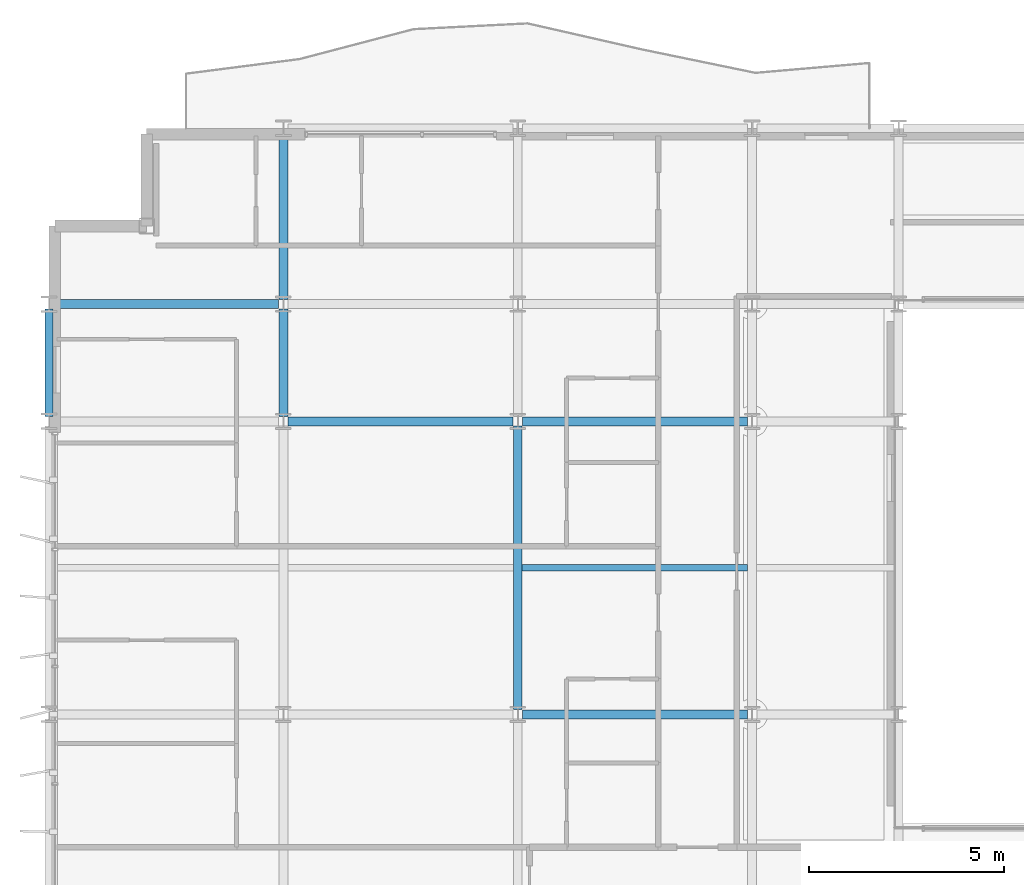
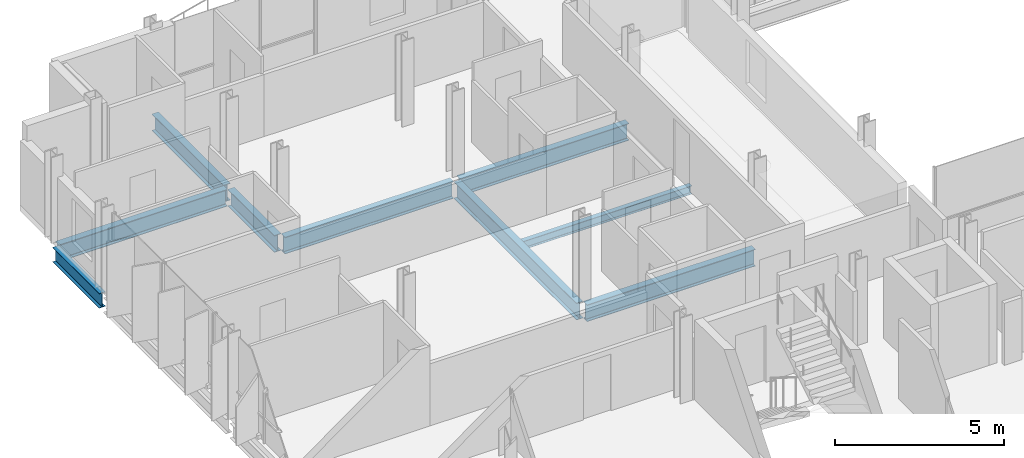
# One storey, part 8 of 38: 9 beams.
"""IFC4 building model written with IfcOpenShell, lengths in metres."""

from ifc_helpers import new_model, si_unit, direction, frame, origin, origin_2d, place, context, subcontext, project, spatial, i_section, extrude, material, material_profile, profile_set, type_object, element, save


model = new_model("IFC4")

# Units and contexts
model_context = context("Model", 3, precision=1e-05, world=origin(), true_north=direction((0.0, 1.0)))
body_context = subcontext(model_context, "Body", "Model", "MODEL_VIEW")
ifc_project = project(units=[si_unit("LENGTHUNIT", "METRE"), si_unit("AREAUNIT", "SQUARE_METRE"), si_unit("VOLUMEUNIT", "CUBIC_METRE"), si_unit("PLANEANGLEUNIT", "RADIAN"), si_unit("MASSUNIT", "GRAM", prefix="KILO")], contexts=[model_context])

# Site, building, storey
site_placement = place(None, origin())
site = spatial("IfcSite", under=ifc_project, at=site_placement, CompositionType="ELEMENT")
building_placement = place(site_placement, origin())
building = spatial("IfcBuilding", under=site, at=building_placement, Name="Brevholm Reach", CompositionType="ELEMENT")
storey_placement = place(building_placement, frame((0.0, 0.0, 141.800048828125)))
storey = spatial("IfcBuildingStorey", under=building, at=storey_placement, Name="L42", CompositionType="ELEMENT", Elevation=141.800048828125)

# Beams
ifc_material_1 = material(Name="Structural Steel S355J2", Category="steel")
ifc_material_profile_1 = material_profile(ifc_material_1, i_section(OverallWidth=0.1650390625, OverallDepth=0.303466796875, WebThickness=0.006103515625, FlangeThickness=0.01025390625, FilletRadius=0.0087890625, at=origin_2d()), Name="UKB 305x165x40")
ifc_profile_set_1 = profile_set([ifc_material_profile_1], Name="Structural Steel S355J2")
beam_type_1 = type_object("IfcBeamType", Name="BM-B305", PredefinedType="BEAM", material=ifc_profile_set_1)
beam_1_placement = place(storey_placement, frame((12.114501953125, 19.75, -0.371826171875), z_axis=(1.0, 0.0, 0.0), x_axis=(0.0, 1.0, 0.0)))
element("IfcBeam", 1, at=beam_1_placement, inside=storey, type_object=beam_type_1, Name="L42 Composite Secondary Floor Beam", PredefinedType="BEAM", context=body_context, shape_type="SweptSolid", body=[
    extrude(i_section(OverallWidth=0.1650390625, OverallDepth=0.303466796875, WebThickness=0.006103515625, FlangeThickness=0.01025390625, FilletRadius=0.0087890625, at=origin_2d()), origin(), (0.0, 0.0, 1.0), 5.77099609375),
])
ifc_material_2 = material(Name="Structural Steel S355J2", Category="steel")
ifc_material_profile_2 = material_profile(ifc_material_2, i_section(OverallWidth=0.209228515625, OverallDepth=0.533203125, WebThickness=0.010009765625, FlangeThickness=0.015625, FilletRadius=0.0126953125, at=origin_2d()), Name="UKB 533x210x92")
ifc_profile_set_2 = profile_set([ifc_material_profile_2], Name="Structural Steel S355J2")
beam_type_2 = type_object("IfcBeamType", Name="BM-SP533", PredefinedType="SPANDREL", material=ifc_profile_set_2)
beam_2_placement = place(storey_placement, frame((0.0, 23.6201171875, -0.486572265625), z_axis=(0.0, 1.0, 0.0), x_axis=(-1.0, 0.0, 0.0)))
element("IfcBeam", 2, at=beam_2_placement, inside=storey, type_object=beam_type_2, Name="L42 SP-02 Framing Beam", PredefinedType="SPANDREL", context=body_context, shape_type="SweptSolid", body=[
    extrude(i_section(OverallWidth=0.209228515625, OverallDepth=0.533203125, WebThickness=0.010009765625, FlangeThickness=0.015625, FilletRadius=0.0126953125, at=origin_2d()), origin(), (0.0, 0.0, 1.0), 2.759765625),
])
ifc_material_3 = material(Name="Structural Steel S355J2", Category="steel")
ifc_material_profile_3 = material_profile(ifc_material_3, i_section(OverallWidth=0.22900390625, OverallDepth=0.6123046875, WebThickness=0.011962890625, FlangeThickness=0.01953125, FilletRadius=0.0126953125, at=origin_2d()), Name="UKB 610x229x125")
ifc_profile_set_3 = profile_set([ifc_material_profile_3], Name="Structural Steel S355J2")
beam_type_3 = type_object("IfcBeamType", Name="BM-SP610", PredefinedType="SPANDREL", material=ifc_profile_set_3)
for number, where, z_axis, x_axis, name in (
    (3, (12.1201171875, 16.0, -0.526123046875), (1.0, 0.0, 0.0), (0.0, 1.0, 0.0), "L42 SP-01 Framing Beam"),
    (4, (6.1201171875, 23.5, -0.526123046875), (1.0, 0.0, 0.0), (0.0, 1.0, 0.0), "L42 SP-01 Framing Beam"),
    (5, (12.1201171875, 23.5, -0.526123046875), (1.0, 0.0, 0.0), (0.0, 1.0, 0.0), "L42 SP-01 Framing Beam"),
    (6, (0.1201171875, 26.5, -0.526123046875), (1.0, 0.0, 0.0), (0.0, 1.0, 0.0), "L42 SP-01 Framing Beam"),
):
    element("IfcBeam", number, at=place(storey_placement, frame(where, z_axis=z_axis, x_axis=x_axis)), inside=storey, type_object=beam_type_3, Name=name, PredefinedType="SPANDREL", context=body_context, shape_type="SweptSolid", body=[
        extrude(i_section(OverallWidth=0.22900390625, OverallDepth=0.6123046875, WebThickness=0.011962890625, FlangeThickness=0.01953125, FilletRadius=0.0126953125, at=origin_2d()), origin(), (0.0, 0.0, 1.0), 5.759765625),
    ])
beam_3_placement = place(storey_placement, frame((6.0, 23.6201171875, -0.526123046875), z_axis=(0.0, 1.0, 0.0), x_axis=(-1.0, 0.0, 0.0)))
element("IfcBeam", 7, at=beam_3_placement, inside=storey, type_object=beam_type_3, Name="L42 SP-01 Framing Beam", PredefinedType="SPANDREL", context=body_context, shape_type="SweptSolid", body=[
    extrude(i_section(OverallWidth=0.22900390625, OverallDepth=0.6123046875, WebThickness=0.011962890625, FlangeThickness=0.01953125, FilletRadius=0.0126953125, at=origin_2d()), origin(), (0.0, 0.0, 1.0), 2.759765625),
])
beam_4_placement = place(storey_placement, frame((6.0, 26.6201171875, -0.526123046875), z_axis=(0.0, 1.0, 0.0), x_axis=(-1.0, 0.0, 0.0)))
element("IfcBeam", 8, at=beam_4_placement, inside=storey, type_object=beam_type_3, Name="L42 SP-01 Framing Beam", PredefinedType="SPANDREL", context=body_context, shape_type="SweptSolid", body=[
    extrude(i_section(OverallWidth=0.22900390625, OverallDepth=0.6123046875, WebThickness=0.011962890625, FlangeThickness=0.01953125, FilletRadius=0.0126953125, at=origin_2d()), origin(), (0.0, 0.0, 1.0), 4.259765625),
])
beam_5_placement = place(storey_placement, frame((12.0, 16.1201171875, -0.526123046875), z_axis=(0.0, 1.0, 0.0), x_axis=(-1.0, 0.0, 0.0)))
element("IfcBeam", 9, at=beam_5_placement, inside=storey, type_object=beam_type_3, Name="L42 SP-01 Framing Beam", PredefinedType="SPANDREL", context=body_context, shape_type="SweptSolid", body=[
    extrude(i_section(OverallWidth=0.22900390625, OverallDepth=0.6123046875, WebThickness=0.011962890625, FlangeThickness=0.01953125, FilletRadius=0.0126953125, at=origin_2d()), origin(), (0.0, 0.0, 1.0), 7.259765625),
])

save(model, "model.ifc")
